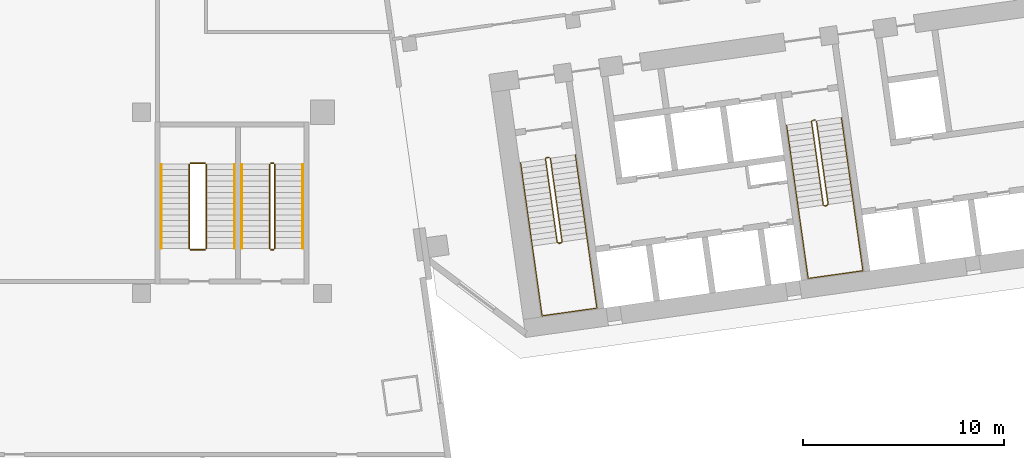
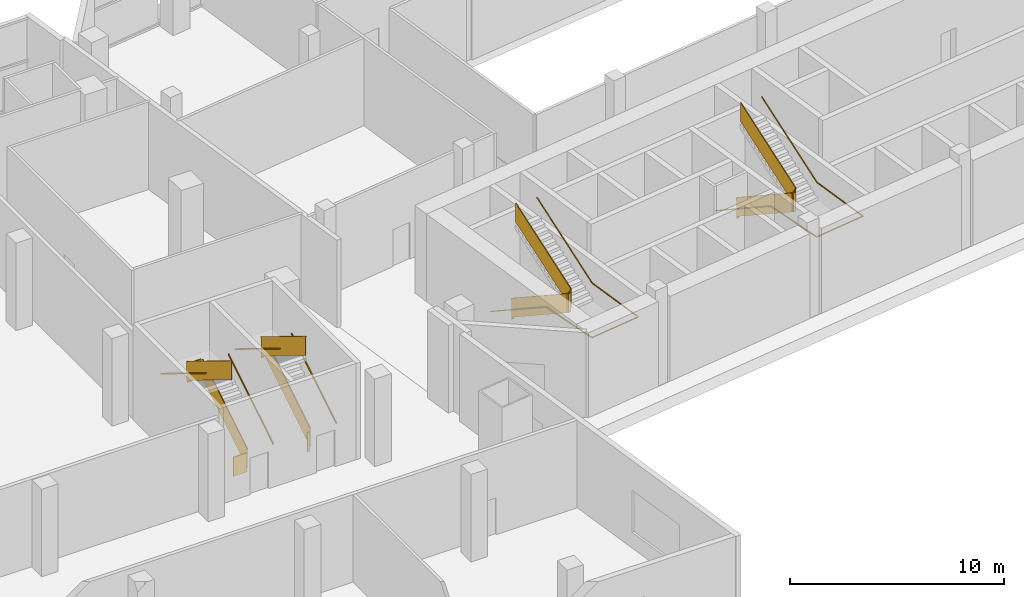
# One storey, part 22 of 23: 16 railings.
"""IFC4 building model written with IfcOpenShell, lengths in metres."""

from ifc_helpers import new_model, si_unit, direction, frame, origin, origin_2d, place, context, subcontext, project, spatial, rectangle, extrude, material, type_object, element, save


model = new_model("IFC4")

# Units and contexts
model_context = context("Model", 3, precision=1e-05, world=origin(), true_north=direction((0.0, 1.0)))
body_context = subcontext(model_context, "Body", "Model", "MODEL_VIEW")
ifc_project = project(units=[si_unit("LENGTHUNIT", "METRE"), si_unit("AREAUNIT", "SQUARE_METRE"), si_unit("VOLUMEUNIT", "CUBIC_METRE"), si_unit("PLANEANGLEUNIT", "RADIAN"), si_unit("MASSUNIT", "GRAM", prefix="KILO")], contexts=[model_context])

# Site, building, storey
site_placement = place(None, origin())
site = spatial("IfcSite", under=ifc_project, at=site_placement, CompositionType="ELEMENT")
building_placement = place(site_placement, origin())
building = spatial("IfcBuilding", under=site, at=building_placement, Name="Mirante Cascada Hotel Towers", CompositionType="ELEMENT")
storey_placement = place(building_placement, frame((0.0, 0.0, 23.5)))
storey = spatial("IfcBuildingStorey", under=building, at=storey_placement, Name="L03", CompositionType="ELEMENT", Elevation=23.5)

# Railings
ifc_material_1 = material(Name="Painted steel", Category="steel")
railing_type_1 = type_object("IfcRailingType", Name="Podium stair guard 1100 steel balustrade", PredefinedType="GUARDRAIL", material=ifc_material_1)
railing_1_placement = place(storey_placement, frame((24.625, -15.775, 0.1719)))
element("IfcRailing", 1, at=railing_1_placement, inside=storey, type_object=railing_type_1, Name="L03 PS2 stair guard 1", PredefinedType="GUARDRAIL", context=body_context, shape_type="SweptSolid", body=[
    extrude(rectangle(XDim=0.048, YDim=0.048, at=origin_2d()), frame((0.0, 0.0, 1.076), z_axis=(0.0, 1.0, 0.0), x_axis=(-1.0, 0.0, 0.0)), (0.0, 0.5231382, 0.8522479), 4.9281),
    extrude(rectangle(XDim=0.02, YDim=1.052, at=origin_2d()), frame((0.0, 0.0, 0.526), z_axis=(0.0, 1.0, 0.0), x_axis=(-1.0, 0.0, 0.0)), (0.0, 0.5231382, 0.8522479), 4.9281),
])
railing_2_placement = place(storey_placement, frame((24.575, -11.525, 2.75)))
element("IfcRailing", 2, at=railing_2_placement, inside=storey, type_object=railing_type_1, Name="L03 PS2 stair guard 2", PredefinedType="GUARDRAIL", context=body_context, shape_type="SweptSolid", body=[
    extrude(rectangle(XDim=0.048, YDim=0.048, at=origin_2d()), frame((0.0, 0.0, 1.076), z_axis=(-1.0, 0.0, 0.0), x_axis=(0.0, -1.0, 0.0)), (0.0, 0.0, 1.0), 0.15),
    extrude(rectangle(XDim=0.02, YDim=1.052, at=origin_2d()), frame((0.0, 0.0, 0.526), z_axis=(-1.0, 0.0, 0.0), x_axis=(0.0, -1.0, 0.0)), (0.0, 0.0, 1.0), 0.15),
])
railing_3_placement = place(storey_placement, frame((24.375, -11.575, 2.9219)))
element("IfcRailing", 3, at=railing_3_placement, inside=storey, type_object=railing_type_1, Name="L03 PS2 stair guard 3", PredefinedType="GUARDRAIL", context=body_context, shape_type="SweptSolid", body=[
    extrude(rectangle(XDim=0.048, YDim=0.048, at=origin_2d()), frame((0.0, 0.0, 1.076), z_axis=(0.0, -1.0, 0.0), x_axis=(1.0, 0.0, 0.0)), (0.0, 0.5231382, 0.8522479), 4.9281),
    extrude(rectangle(XDim=0.02, YDim=1.052, at=origin_2d()), frame((0.0, 0.0, 0.526), z_axis=(0.0, -1.0, 0.0), x_axis=(1.0, 0.0, 0.0)), (0.0, 0.5231382, 0.8522479), 4.9281),
])
railing_4_placement = place(storey_placement, frame((24.575, -15.825, 0.0)))
element("IfcRailing", 4, at=railing_4_placement, inside=storey, type_object=railing_type_1, Name="L03 PS2 stair guard 4", PredefinedType="GUARDRAIL", context=body_context, shape_type="SweptSolid", body=[
    extrude(rectangle(XDim=0.048, YDim=0.048, at=origin_2d()), frame((0.0, 0.0, 1.076), z_axis=(-1.0, 0.0, 0.0), x_axis=(0.0, -1.0, 0.0)), (0.0, 0.0, 1.0), 0.15),
    extrude(rectangle(XDim=0.02, YDim=1.052, at=origin_2d()), frame((0.0, 0.0, 0.526), z_axis=(-1.0, 0.0, 0.0), x_axis=(0.0, -1.0, 0.0)), (0.0, 0.0, 1.0), 0.15),
])
railing_5_placement = place(storey_placement, frame((21.225, -15.775, 0.1719)))
element("IfcRailing", 5, at=railing_5_placement, inside=storey, type_object=railing_type_1, Name="L03 PS4 stair guard 1", PredefinedType="GUARDRAIL", context=body_context, shape_type="SweptSolid", body=[
    extrude(rectangle(XDim=0.048, YDim=0.048, at=origin_2d()), frame((0.0, 0.0, 1.076), z_axis=(0.0, 1.0, 0.0), x_axis=(-1.0, 0.0, 0.0)), (0.0, 0.5231382, 0.8522479), 4.9281),
    extrude(rectangle(XDim=0.02, YDim=1.052, at=origin_2d()), frame((0.0, 0.0, 0.526), z_axis=(0.0, 1.0, 0.0), x_axis=(-1.0, 0.0, 0.0)), (0.0, 0.5231382, 0.8522479), 4.9281),
])
railing_6_placement = place(storey_placement, frame((21.175, -11.525, 2.75)))
element("IfcRailing", 6, at=railing_6_placement, inside=storey, type_object=railing_type_1, Name="L03 PS4 stair guard 2", PredefinedType="GUARDRAIL", context=body_context, shape_type="SweptSolid", body=[
    extrude(rectangle(XDim=0.048, YDim=0.048, at=origin_2d()), frame((0.0, 0.0, 1.076), z_axis=(-1.0, 0.0, 0.0), x_axis=(0.0, -1.0, 0.0)), (0.0, 0.0, 1.0), 0.75),
    extrude(rectangle(XDim=0.02, YDim=1.052, at=origin_2d()), frame((0.0, 0.0, 0.526), z_axis=(-1.0, 0.0, 0.0), x_axis=(0.0, -1.0, 0.0)), (0.0, 0.0, 1.0), 0.75),
])
railing_7_placement = place(storey_placement, frame((20.375, -11.575, 2.9219)))
element("IfcRailing", 7, at=railing_7_placement, inside=storey, type_object=railing_type_1, Name="L03 PS4 stair guard 3", PredefinedType="GUARDRAIL", context=body_context, shape_type="SweptSolid", body=[
    extrude(rectangle(XDim=0.048, YDim=0.048, at=origin_2d()), frame((0.0, 0.0, 1.076), z_axis=(0.0, -1.0, 0.0), x_axis=(1.0, 0.0, 0.0)), (0.0, 0.5231382, 0.8522479), 4.9281),
    extrude(rectangle(XDim=0.02, YDim=1.052, at=origin_2d()), frame((0.0, 0.0, 0.526), z_axis=(0.0, -1.0, 0.0), x_axis=(1.0, 0.0, 0.0)), (0.0, 0.5231382, 0.8522479), 4.9281),
])
railing_8_placement = place(storey_placement, frame((21.175, -15.825, 0.0)))
element("IfcRailing", 8, at=railing_8_placement, inside=storey, type_object=railing_type_1, Name="L03 PS4 stair guard 4", PredefinedType="GUARDRAIL", context=body_context, shape_type="SweptSolid", body=[
    extrude(rectangle(XDim=0.048, YDim=0.048, at=origin_2d()), frame((0.0, 0.0, 1.076), z_axis=(-1.0, 0.0, 0.0), x_axis=(0.0, -1.0, 0.0)), (0.0, 0.0, 1.0), 0.75),
    extrude(rectangle(XDim=0.02, YDim=1.052, at=origin_2d()), frame((0.0, 0.0, 0.526), z_axis=(-1.0, 0.0, 0.0), x_axis=(0.0, -1.0, 0.0)), (0.0, 0.0, 1.0), 0.75),
])
ifc_material_2 = material(Name="Painted steel", Category="steel")
railing_type_2 = type_object("IfcRailingType", Name="Podium stair handrail 900 steel tube", PredefinedType="HANDRAIL", material=ifc_material_2)
railing_9_placement = place(storey_placement, frame((26.025, -15.775, 0.1719)))
element("IfcRailing", 9, at=railing_9_placement, inside=storey, type_object=railing_type_2, Name="L03 PS2 stair handrail 1", PredefinedType="HANDRAIL", context=body_context, shape_type="SweptSolid", body=[
    extrude(rectangle(XDim=0.048, YDim=0.048, at=origin_2d()), frame((0.0, 0.0, 0.876), z_axis=(0.0, 1.0, 0.0), x_axis=(-1.0, 0.0, 0.0)), (0.0, 0.5231382, 0.8522479), 4.9281),
])
railing_10_placement = place(storey_placement, frame((22.975, -11.575, 2.9219)))
element("IfcRailing", 10, at=railing_10_placement, inside=storey, type_object=railing_type_2, Name="L03 PS2 stair handrail 2", PredefinedType="HANDRAIL", context=body_context, shape_type="SweptSolid", body=[
    extrude(rectangle(XDim=0.048, YDim=0.048, at=origin_2d()), frame((0.0, 0.0, 0.876), z_axis=(0.0, -1.0, 0.0), x_axis=(1.0, 0.0, 0.0)), (0.0, 0.5231382, 0.8522479), 4.9281),
])
railing_11_placement = place(storey_placement, frame((22.625, -15.775, 0.1719)))
element("IfcRailing", 11, at=railing_11_placement, inside=storey, type_object=railing_type_2, Name="L03 PS4 stair handrail 1", PredefinedType="HANDRAIL", context=body_context, shape_type="SweptSolid", body=[
    extrude(rectangle(XDim=0.048, YDim=0.048, at=origin_2d()), frame((0.0, 0.0, 0.876), z_axis=(0.0, 1.0, 0.0), x_axis=(-1.0, 0.0, 0.0)), (0.0, 0.5231382, 0.8522479), 4.9281),
])
railing_12_placement = place(storey_placement, frame((18.975, -11.575, 2.9219)))
element("IfcRailing", 12, at=railing_12_placement, inside=storey, type_object=railing_type_2, Name="L03 PS4 stair handrail 2", PredefinedType="HANDRAIL", context=body_context, shape_type="SweptSolid", body=[
    extrude(rectangle(XDim=0.048, YDim=0.048, at=origin_2d()), frame((0.0, 0.0, 0.876), z_axis=(0.0, -1.0, 0.0), x_axis=(1.0, 0.0, 0.0)), (0.0, 0.5231382, 0.8522479), 4.9281),
])
ifc_material_3 = material(Name="Painted steel", Category="steel")
railing_type_3 = type_object("IfcRailingType", Name="Stair guard 1100 steel balustrade", PredefinedType="GUARDRAIL", material=ifc_material_3)
railing_13_placement = place(storey_placement, frame((38.2663, -11.2395, 0.0)))
element("IfcRailing", 13, at=railing_13_placement, inside=storey, type_object=railing_type_3, Name="L03 ST2-A stair guard 1", PredefinedType="GUARDRAIL", context=body_context, shape_type="SweptSolid", body=[
    extrude(rectangle(XDim=0.048, YDim=0.048, at=origin_2d()), frame((0.0, 0.0, 1.076), z_axis=(-0.9903326, -0.1387133, 0.0), x_axis=(0.1387133, -0.9903326, 0.0)), (0.0, 0.0, 1.0), 0.1499),
    extrude(rectangle(XDim=0.02, YDim=1.052, at=origin_2d()), frame((0.0, 0.0, 0.526), z_axis=(-0.9903326, -0.1387133, 0.0), x_axis=(0.1387133, -0.9903326, 0.0)), (0.0, 0.0, 1.0), 0.1499),
    extrude(rectangle(XDim=0.048, YDim=0.048, at=origin_2d()), frame((-0.1485, -0.0208, 1.076), z_axis=(-0.6020331, -0.7984711, 0.0), x_axis=(0.7984711, -0.6020331, 0.0)), (0.0, 0.92472, 0.380648), 0.1859),
    extrude(rectangle(XDim=0.02, YDim=1.052, at=origin_2d()), frame((-0.1485, -0.0208, 0.526), z_axis=(-0.6020331, -0.7984711, 0.0), x_axis=(0.7984711, -0.6020331, 0.0)), (0.0, 0.92472, 0.380648), 0.1859),
    extrude(rectangle(XDim=0.048, YDim=0.048, at=origin_2d()), frame((-0.1911, -0.0773, 1.2479), z_axis=(0.139191, -0.9902656, 0.0), x_axis=(0.9902656, 0.139191, 0.0)), (0.0, 0.5231396, 0.852247), 4.9281),
    extrude(rectangle(XDim=0.02, YDim=1.052, at=origin_2d()), frame((-0.1911, -0.0773, 0.6979), z_axis=(0.139191, -0.9902656, 0.0), x_axis=(0.9902656, 0.139191, 0.0)), (0.0, 0.5231396, 0.852247), 4.9281),
    extrude(rectangle(XDim=0.048, YDim=0.048, at=origin_2d()), frame((0.3935, -4.2364, 3.826), z_axis=(0.9944441, -0.1052656, 0.0), x_axis=(0.1052656, 0.9944441, 0.0)), (0.0, 0.0, 1.0), 0.2061),
    extrude(rectangle(XDim=0.02, YDim=1.052, at=origin_2d()), frame((0.3935, -4.2364, 3.276), z_axis=(0.9944441, -0.1052656, 0.0), x_axis=(0.1052656, 0.9944441, 0.0)), (0.0, 0.0, 1.0), 0.2061),
    extrude(rectangle(XDim=0.048, YDim=0.048, at=origin_2d()), frame((0.5985, -4.2581, 3.826), z_axis=(-0.9902537, -0.1392753, 0.0), x_axis=(0.1392753, -0.9902537, 0.0)), (0.0, 0.0, 1.0), 0.1501),
    extrude(rectangle(XDim=0.02, YDim=1.052, at=origin_2d()), frame((0.5985, -4.2581, 3.276), z_axis=(-0.9902537, -0.1392753, 0.0), x_axis=(0.1392753, -0.9902537, 0.0)), (0.0, 0.0, 1.0), 0.1501),
    extrude(rectangle(XDim=0.048, YDim=0.048, at=origin_2d()), frame((0.4499, -4.279, 3.826), z_axis=(0.9268624, 0.3754011, 0.0), x_axis=(-0.3754011, 0.9268624, 0.0)), (0.0, 0.6403686, 0.7680678), 0.2684),
    extrude(rectangle(XDim=0.02, YDim=1.052, at=origin_2d()), frame((0.4499, -4.279, 3.276), z_axis=(0.9268624, 0.3754011, 0.0), x_axis=(-0.3754011, 0.9268624, 0.0)), (0.0, 0.6403686, 0.7680678), 0.2684),
    extrude(rectangle(XDim=0.048, YDim=0.048, at=origin_2d()), frame((0.641, -4.2016, 3.9979), z_axis=(-0.1391676, 0.9902688, 0.0), x_axis=(-0.9902688, -0.1391676, 0.0)), (0.0, 0.5231408, 0.8522463), 4.9281),
    extrude(rectangle(XDim=0.02, YDim=1.052, at=origin_2d()), frame((0.641, -4.2016, 3.4479), z_axis=(-0.1391676, 0.9902688, 0.0), x_axis=(-0.9902688, -0.1391676, 0.0)), (0.0, 0.5231408, 0.8522463), 4.9281),
])
railing_14_placement = place(storey_placement, frame((51.4864, -9.3815, 0.0)))
element("IfcRailing", 14, at=railing_14_placement, inside=storey, type_object=railing_type_3, Name="L03 ST2-B stair guard 1", PredefinedType="GUARDRAIL", context=body_context, shape_type="SweptSolid", body=[
    extrude(rectangle(XDim=0.048, YDim=0.048, at=origin_2d()), frame((0.0, 0.0, 1.076), z_axis=(-0.9902408, -0.1393672, 0.0), x_axis=(0.1393672, -0.9902408, 0.0)), (0.0, 0.0, 1.0), 0.15),
    extrude(rectangle(XDim=0.02, YDim=1.052, at=origin_2d()), frame((0.0, 0.0, 0.526), z_axis=(-0.9902408, -0.1393672, 0.0), x_axis=(0.1393672, -0.9902408, 0.0)), (0.0, 0.0, 1.0), 0.15),
    extrude(rectangle(XDim=0.048, YDim=0.048, at=origin_2d()), frame((-0.1485, -0.0209, 1.076), z_axis=(-0.6020331, -0.7984711, 0.0), x_axis=(0.7984711, -0.6020331, 0.0)), (0.0, 0.92472, 0.380648), 0.1859),
    extrude(rectangle(XDim=0.02, YDim=1.052, at=origin_2d()), frame((-0.1485, -0.0209, 0.526), z_axis=(-0.6020331, -0.7984711, 0.0), x_axis=(0.7984711, -0.6020331, 0.0)), (0.0, 0.92472, 0.380648), 0.1859),
    extrude(rectangle(XDim=0.048, YDim=0.048, at=origin_2d()), frame((-0.1911, -0.0774, 1.2479), z_axis=(0.1391676, -0.9902688, 0.0), x_axis=(0.9902688, 0.1391676, 0.0)), (0.0, 0.5231408, 0.8522463), 4.9281),
    extrude(rectangle(XDim=0.02, YDim=1.052, at=origin_2d()), frame((-0.1911, -0.0774, 0.6979), z_axis=(0.1391676, -0.9902688, 0.0), x_axis=(0.9902688, 0.1391676, 0.0)), (0.0, 0.5231408, 0.8522463), 4.9281),
    extrude(rectangle(XDim=0.048, YDim=0.048, at=origin_2d()), frame((0.3934, -4.2365, 3.826), z_axis=(0.9944495, -0.1052148, 0.0), x_axis=(0.1052148, 0.9944495, 0.0)), (0.0, 0.0, 1.0), 0.2062),
    extrude(rectangle(XDim=0.02, YDim=1.052, at=origin_2d()), frame((0.3934, -4.2365, 3.276), z_axis=(0.9944495, -0.1052148, 0.0), x_axis=(0.1052148, 0.9944495, 0.0)), (0.0, 0.0, 1.0), 0.2062),
    extrude(rectangle(XDim=0.048, YDim=0.048, at=origin_2d()), frame((0.5985, -4.2582, 3.826), z_axis=(-0.9903454, -0.1386217, 0.0), x_axis=(0.1386217, -0.9903454, 0.0)), (0.0, 0.0, 1.0), 0.15),
    extrude(rectangle(XDim=0.02, YDim=1.052, at=origin_2d()), frame((0.5985, -4.2582, 3.276), z_axis=(-0.9903454, -0.1386217, 0.0), x_axis=(0.1386217, -0.9903454, 0.0)), (0.0, 0.0, 1.0), 0.15),
    extrude(rectangle(XDim=0.048, YDim=0.048, at=origin_2d()), frame((0.4499, -4.279, 3.826), z_axis=(0.9270311, 0.3749843, 0.0), x_axis=(-0.3749843, 0.9270311, 0.0)), (0.0, 0.6404373, 0.7680104), 0.2684),
    extrude(rectangle(XDim=0.02, YDim=1.052, at=origin_2d()), frame((0.4499, -4.279, 3.276), z_axis=(0.9270311, 0.3749843, 0.0), x_axis=(-0.3749843, 0.9270311, 0.0)), (0.0, 0.6404373, 0.7680104), 0.2684),
    extrude(rectangle(XDim=0.048, YDim=0.048, at=origin_2d()), frame((0.641, -4.2017, 3.9979), z_axis=(-0.1391676, 0.9902688, 0.0), x_axis=(-0.9902688, -0.1391676, 0.0)), (0.0, 0.5231408, 0.8522463), 4.9281),
    extrude(rectangle(XDim=0.02, YDim=1.052, at=origin_2d()), frame((0.641, -4.2017, 3.4479), z_axis=(-0.1391676, 0.9902688, 0.0), x_axis=(-0.9902688, -0.1391676, 0.0)), (0.0, 0.5231408, 0.8522463), 4.9281),
])
ifc_material_4 = material(Name="Painted steel", Category="steel")
railing_type_4 = type_object("IfcRailingType", Name="Stair handrail 900 steel tube", PredefinedType="HANDRAIL", material=ifc_material_4)
railing_15_placement = place(storey_placement, frame((36.8374, -11.4908, 0.1719)))
element("IfcRailing", 15, at=railing_15_placement, inside=storey, type_object=railing_type_4, Name="L03 ST2-A stair handrail 1", PredefinedType="HANDRAIL", context=body_context, shape_type="SweptSolid", body=[
    extrude(rectangle(XDim=0.048, YDim=0.048, at=origin_2d()), frame((0.0, 0.0, 0.876), z_axis=(0.1391676, -0.9902688, 0.0), x_axis=(0.9902688, 0.1391676, 0.0)), (0.0, 0.5231408, 0.8522463), 4.9281),
    extrude(rectangle(XDim=0.048, YDim=0.048, at=origin_2d()), frame((0.5844, -4.1581, 3.4541), z_axis=(0.139173, -0.9902681, 0.0), x_axis=(0.9902681, 0.139173, 0.0)), (0.0, 0.0490557, 0.998796), 3.5052),
    extrude(rectangle(XDim=0.048, YDim=0.048, at=origin_2d()), frame((1.0716, -7.625, 3.626), z_axis=(0.9902698, 0.1391607, 0.0), x_axis=(-0.1391607, 0.9902698, 0.0)), (0.0, 0.0, 1.0), 2.7501),
    extrude(rectangle(XDim=0.048, YDim=0.048, at=origin_2d()), frame((3.7949, -7.2423, 3.626), z_axis=(-0.139173, 0.9902681, 0.0), x_axis=(-0.9902681, -0.139173, 0.0)), (0.0, 0.0, 1.0), 3.5),
    extrude(rectangle(XDim=0.048, YDim=0.048, at=origin_2d()), frame((3.3079, -3.7772, 3.6255), z_axis=(-0.139191, 0.9902656, 0.0), x_axis=(-0.9902656, -0.139191, 0.0)), (0.0, 0.5231396, 0.852247), 4.9291),
])
railing_16_placement = place(storey_placement, frame((50.0575, -9.6328, 0.1719)))
element("IfcRailing", 16, at=railing_16_placement, inside=storey, type_object=railing_type_4, Name="L03 ST2-B stair handrail 1", PredefinedType="HANDRAIL", context=body_context, shape_type="SweptSolid", body=[
    extrude(rectangle(XDim=0.048, YDim=0.048, at=origin_2d()), frame((0.0, 0.0, 0.876), z_axis=(0.1391676, -0.9902688, 0.0), x_axis=(0.9902688, 0.1391676, 0.0)), (0.0, 0.5231408, 0.8522463), 4.9281),
    extrude(rectangle(XDim=0.048, YDim=0.048, at=origin_2d()), frame((0.5844, -4.1581, 3.4541), z_axis=(0.139169, -0.9902686, 0.0), x_axis=(0.9902686, 0.139169, 0.0)), (0.0, 0.0490543, 0.9987961), 3.5053),
    extrude(rectangle(XDim=0.048, YDim=0.048, at=origin_2d()), frame((1.0716, -7.6251, 3.626), z_axis=(0.9902698, 0.1391607, 0.0), x_axis=(-0.1391607, 0.9902698, 0.0)), (0.0, 0.0, 1.0), 2.7501),
    extrude(rectangle(XDim=0.048, YDim=0.048, at=origin_2d()), frame((3.7949, -7.2424, 3.626), z_axis=(-0.139197, 0.9902647, 0.0), x_axis=(-0.9902647, -0.139197, 0.0)), (0.0, 0.0, 1.0), 3.5001),
    extrude(rectangle(XDim=0.048, YDim=0.048, at=origin_2d()), frame((3.3078, -3.7772, 3.6255), z_axis=(-0.1391676, 0.9902688, 0.0), x_axis=(-0.9902688, -0.1391676, 0.0)), (0.0, 0.5231408, 0.8522463), 4.9291),
])

save(model, "model.ifc")
